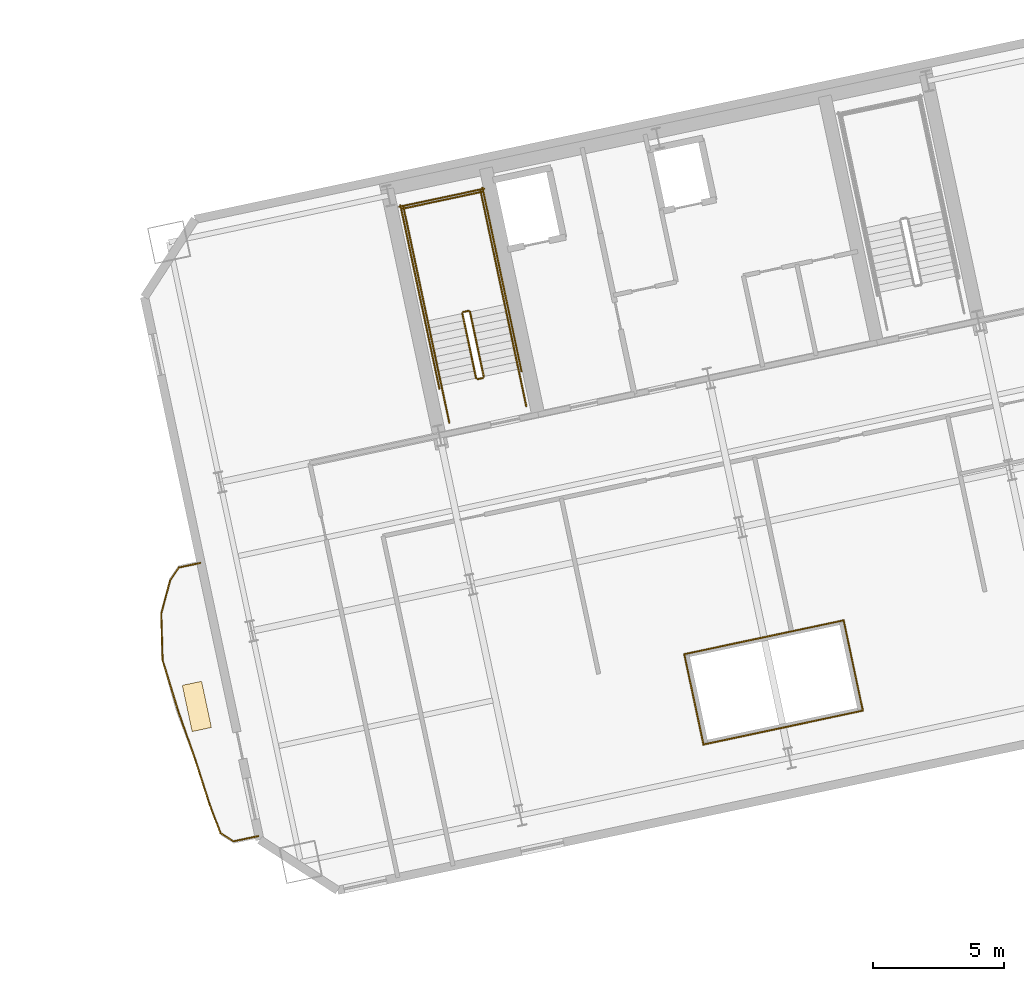
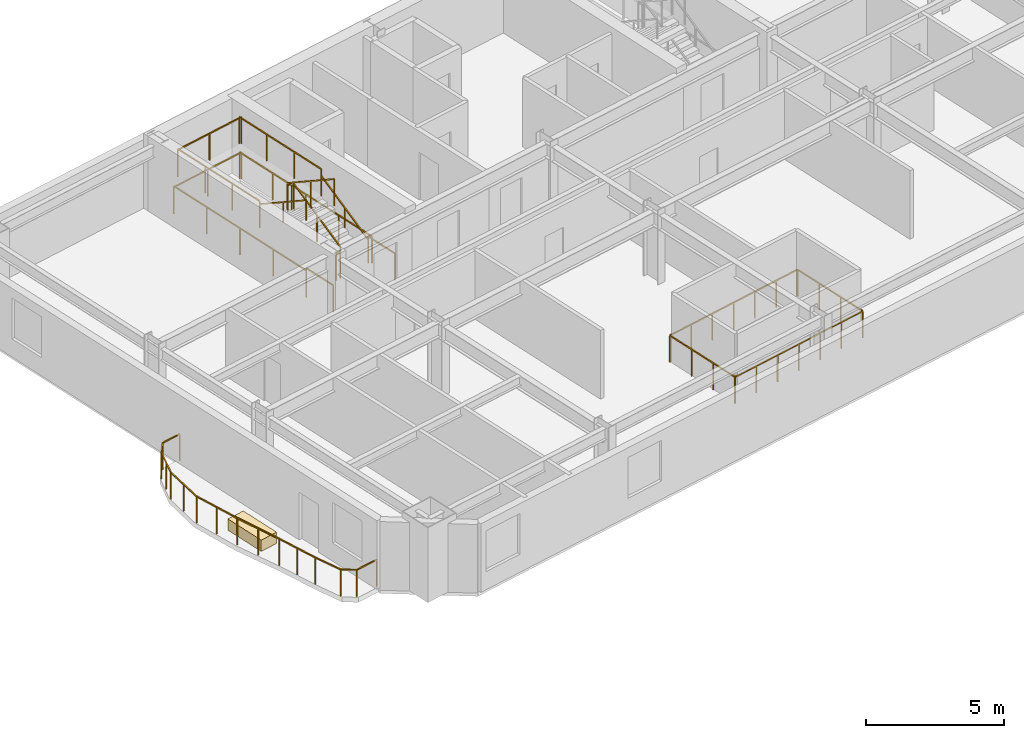
# One storey, part 12 of 13: 28 railings, 1 covering.
"""IFC4 building model written with IfcOpenShell, lengths in metres."""

import ifcopenshell
import ifcopenshell.guid

model = None  # the IFC model being written
_history = None  # IfcOwnerHistory: only IFC2X3 demands one
_inside = {}  # id of a spatial element -> (the spatial element, [elements in it])
_under = {}  # id of a project, library or spatial element -> (it, [spatial elements below it])
_declared = {}  # id of a project -> (the project, [libraries it declares])
_typed = {}  # id of a type object -> (the type object, [elements of that type])
_made_of = {}  # id of a material, layer set ... -> (it, [elements and type objects made of it])


def new_model(schema):
    """Start an empty IFC model of exactly this schema.

    Asked for "IFC4X3", IfcOpenShell would pick the latest addendum, in which some entities
    have other attributes; the version numbers below select the first issue.
    IFC2X3 requires an IfcOwnerHistory on every rooted entity: one is made here for all.
    """
    global model, _history
    if schema == "IFC4X3":
        model = ifcopenshell.file(schema_version=(4, 3, 0, 0))
    else:
        model = ifcopenshell.file(schema=schema)
    _inside.clear()
    _under.clear()
    _declared.clear()
    _typed.clear()
    _made_of.clear()
    _history = None
    if model.schema == "IFC2X3":
        org = make("IfcOrganization", Name="unknown")
        user = make(
            "IfcPersonAndOrganization",
            ThePerson=make("IfcPerson", FamilyName="unknown"),
            TheOrganization=org,
        )
        app = make(
            "IfcApplication",
            ApplicationDeveloper=org,
            Version="unknown",
            ApplicationFullName="unknown",
            ApplicationIdentifier="unknown",
        )
        _history = make(
            "IfcOwnerHistory",
            OwningUser=user,
            OwningApplication=app,
            ChangeAction="ADDED",
            CreationDate=0,
        )
    return model


def make(cls, **values):
    """One entity of the class cls with the attributes given. An attribute that is None is left unset."""
    return model.create_entity(
        cls, **{name: value for name, value in values.items() if value is not None}
    )


def rooted(cls, **values):
    """An entity with a GlobalId (a new one), such as an element, a storey or a relation."""
    return make(cls, GlobalId=ifcopenshell.guid.new(), OwnerHistory=_history, **values)


def si_unit(unit_type, name, prefix=None):
    """IfcSIUnit, for example si_unit("LENGTHUNIT", "METRE", prefix="MILLI")."""
    return make("IfcSIUnit", UnitType=unit_type, Prefix=prefix, Name=name)


def assignment(units):
    """IfcUnitAssignment: the units of a project."""
    return None if units is None else make("IfcUnitAssignment", Units=units)


def point(xyz):
    """IfcCartesianPoint."""
    return None if xyz is None else make("IfcCartesianPoint", Coordinates=xyz)


def direction(xyz):
    """IfcDirection."""
    return None if xyz is None else make("IfcDirection", DirectionRatios=xyz)


def frame(location, z_axis=None, x_axis=None):
    """IfcAxis2Placement3D, a coordinate frame: its origin and axes. An axis left out is left unset."""
    return make(
        "IfcAxis2Placement3D",
        Location=point(location),
        Axis=direction(z_axis),
        RefDirection=direction(x_axis),
    )


def frame_2d(location, x_axis=None):
    """IfcAxis2Placement2D, a coordinate frame in the plane: its origin and x axis."""
    return make(
        "IfcAxis2Placement2D", Location=point(location), RefDirection=direction(x_axis)
    )


def origin():
    """The frame at (0, 0, 0) with its axes left unset."""
    return frame((0.0, 0.0, 0.0))


def origin_2d():
    """The frame at (0, 0) in the plane with its x axis left unset."""
    return frame_2d((0.0, 0.0))


def place(relative_to, where):
    """IfcLocalPlacement: puts the frame where relative to a parent placement (None: the world)."""
    return make(
        "IfcLocalPlacement", PlacementRelTo=relative_to, RelativePlacement=where
    )


def context(
    kind, dimensions, precision=None, world=None, true_north=None, identifier=None
):
    """IfcGeometricRepresentationContext, for example the 3D "Model" context."""
    return make(
        "IfcGeometricRepresentationContext",
        ContextIdentifier=identifier,
        ContextType=kind,
        CoordinateSpaceDimension=dimensions,
        Precision=precision,
        WorldCoordinateSystem=world,
        TrueNorth=true_north,
    )


def subcontext(parent, identifier, kind, view, scale=None):
    """IfcGeometricRepresentationSubContext, for example "Body" below "Model"."""
    return make(
        "IfcGeometricRepresentationSubContext",
        ContextIdentifier=identifier,
        ContextType=kind,
        ParentContext=parent,
        TargetScale=scale,
        TargetView=view,
    )


def project(units=None, contexts=None):
    """IfcProject with its units and contexts."""
    return rooted(
        "IfcProject",
        Name="project",
        RepresentationContexts=contexts,
        UnitsInContext=assignment(units),
    )


def spatial(cls, under=None, at=None, **own):
    """A site, building, storey or space (cls), placed at a placement, below another one or the project."""
    s = rooted(cls, ObjectPlacement=at, **own)
    if under is not None:
        _under.setdefault(under.id(), (under, []))[1].append(s)
    return s


def profile(cls, at=None, kind="AREA", **sizes):
    """A parametric profile (cls). Its sizes go by their IFC names, for example OverallWidth=200.0."""
    return make(cls, ProfileType=kind, Position=at, **sizes)


def rectangle(**sizes):
    """IfcRectangleProfileDef."""
    return profile("IfcRectangleProfileDef", **sizes)


def extrude(swept, where, along, depth):
    """IfcExtrudedAreaSolid: the profile swept, set in the frame where, extruded along a direction by depth."""
    return make(
        "IfcExtrudedAreaSolid",
        SweptArea=swept,
        Position=where,
        ExtrudedDirection=direction(along),
        Depth=depth,
    )


def shape(context_of_items, identifier, shape_type, items):
    """IfcShapeRepresentation: the items that make up one representation, for example the "Body"."""
    return make(
        "IfcShapeRepresentation",
        ContextOfItems=context_of_items,
        RepresentationIdentifier=identifier,
        RepresentationType=shape_type,
        Items=items,
    )


def material(Name=None, Category=None):
    """IfcMaterial."""
    return make("IfcMaterial", Name=Name, Category=Category)


def layer(
    of_material, thickness, ventilated=None, Name=None, Category=None, Priority=None
):
    """IfcMaterialLayer: one layer of a wall or slab, of a material (None: an air gap)."""
    return make(
        "IfcMaterialLayer",
        Material=of_material,
        LayerThickness=thickness,
        IsVentilated=ventilated,
        Name=Name,
        Category=Category,
        Priority=Priority,
    )


def layer_set(layers, Name=None):
    """IfcMaterialLayerSet."""
    return make("IfcMaterialLayerSet", MaterialLayers=layers, LayerSetName=Name)


def made_of(thing, what):
    """Note that an element or type object is made of a material, layer set ...; save() writes the relation."""
    if what is not None:
        _made_of.setdefault(what.id(), (what, []))[1].append(thing)
    return thing


def type_object(cls, material=None, **own):
    """A type object (cls), such as IfcWallType, which elements share."""
    return made_of(rooted(cls, **own), material)


def element(
    cls,
    number,
    at=None,
    inside=None,
    cuts=None,
    type_object=None,
    material=None,
    context=None,
    identifier="Body",
    shape_type=None,
    held_by="IfcProductDefinitionShape",
    body=None,
    shapes=None,
    **own,
):
    """One element of the class cls, such as IfcWall. Its Tag is "e" and its number.

    at: its placement. inside: the storey or other place that contains it. cuts: it is an
    opening in that element (IfcRelVoidsElement). A single representation is given by context,
    identifier, shape_type and body (its items); several are given by shapes. held_by: the class
    of the entity that holds the representations. save() writes the other relations.
    """
    e = rooted(cls, Tag="e%d" % number, ObjectPlacement=at, **own)
    if body is not None:
        shapes = [shape(context, identifier, shape_type, body)]
    if shapes is not None:
        e.Representation = make(held_by, Representations=shapes)
    if inside is not None:
        _inside.setdefault(inside.id(), (inside, []))[1].append(e)
    if cuts is not None:
        rooted(
            "IfcRelVoidsElement", RelatingBuildingElement=cuts, RelatedOpeningElement=e
        )
    if type_object is not None:
        _typed.setdefault(type_object.id(), (type_object, []))[1].append(e)
    return made_of(e, material)


def aggregate(whole, parts):
    """IfcRelAggregates: a whole, such as a stair, and the parts it consists of."""
    return rooted("IfcRelAggregates", RelatingObject=whole, RelatedObjects=parts)


def save(model, path):
    """Write the relations noted so far, then the file.

    IfcRelAggregates (storeys below a building ...), IfcRelContainedInSpatialStructure (elements
    in a storey), IfcRelDefinesByType, IfcRelAssociatesMaterial and IfcRelDeclares: one each for
    every whole, place, type object, material and project.
    """
    for whole, parts in _under.values():
        aggregate(whole, parts)
    for where, things in _inside.values():
        rooted(
            "IfcRelContainedInSpatialStructure",
            RelatedElements=things,
            RelatingStructure=where,
        )
    for kind, things in _typed.values():
        rooted("IfcRelDefinesByType", RelatedObjects=things, RelatingType=kind)
    for what, things in _made_of.values():
        rooted("IfcRelAssociatesMaterial", RelatedObjects=things, RelatingMaterial=what)
    for by, libraries in _declared.values():
        rooted("IfcRelDeclares", RelatingContext=by, RelatedDefinitions=libraries)
    model.write(path)


model = new_model("IFC4")

# Units and contexts
model_context = context("Model", 3, precision=1e-05, world=origin(), true_north=direction((0.0, 1.0)))
body_context = subcontext(model_context, "Body", "Model", "MODEL_VIEW")
ifc_project = project(units=[si_unit("LENGTHUNIT", "METRE"), si_unit("AREAUNIT", "SQUARE_METRE"), si_unit("VOLUMEUNIT", "CUBIC_METRE"), si_unit("PLANEANGLEUNIT", "RADIAN"), si_unit("MASSUNIT", "GRAM", prefix="KILO")], contexts=[model_context])

# Site, building, storey
site_placement = place(None, origin())
site = spatial("IfcSite", under=ifc_project, at=site_placement, CompositionType="ELEMENT")
building_placement = place(site_placement, origin())
building = spatial("IfcBuilding", under=site, at=building_placement, Name="Haevon Station Towers", CompositionType="ELEMENT")
storey_placement = place(building_placement, frame((0.0, 0.0, 99.89990234375)))
storey = spatial("IfcBuildingStorey", under=building, at=storey_placement, Name="L26", CompositionType="ELEMENT", Elevation=99.89990234375)

# Railings
ifc_material_1 = material(Name="Steel S355", Category="steel")
railing_type_1 = type_object("IfcRailingType", Name="BAL-ATR1200", PredefinedType="BALUSTRADE", material=ifc_material_1)
railing_1_placement = place(storey_placement, frame((108.81591796875, 25.668212890625, 0.0)))
element("IfcRailing", 1, at=railing_1_placement, inside=storey, type_object=railing_type_1, Name="L26 Atrium Void Balustrade 1", PredefinedType="BALUSTRADE", context=body_context, shape_type="SweptSolid", body=[
    extrude(rectangle(XDim=0.048095703125, YDim=0.048095703125, at=origin_2d()), frame((0.0, 0.0, 1.17578125), z_axis=(0.97814235822, 0.207936353378, 0.0), x_axis=(-0.207936353378, 0.97814235822, 0.0)), (0.0, 0.0, 1.0), 6.208740234375),
    extrude(rectangle(XDim=0.0419921875, YDim=0.0419921875, at=origin_2d()), origin(), (0.0, 0.0, 1.0), 1.15185546875),
    extrude(rectangle(XDim=0.0419921875, YDim=0.0419921875, at=origin_2d()), frame((1.01220703125, 0.215087890625, 0.0)), (0.0, 0.0, 1.0), 1.15185546875),
    extrude(rectangle(XDim=0.0419921875, YDim=0.0419921875, at=origin_2d()), frame((2.0244140625, 0.430419921875, 0.0)), (0.0, 0.0, 1.0), 1.15185546875),
    extrude(rectangle(XDim=0.0419921875, YDim=0.0419921875, at=origin_2d()), frame((3.03662109375, 0.6455078125, 0.0)), (0.0, 0.0, 1.0), 1.15185546875),
    extrude(rectangle(XDim=0.0419921875, YDim=0.0419921875, at=origin_2d()), frame((4.048583984375, 0.860595703125, 0.0)), (0.0, 0.0, 1.0), 1.15185546875),
    extrude(rectangle(XDim=0.0419921875, YDim=0.0419921875, at=origin_2d()), frame((5.060791015625, 1.075927734375, 0.0)), (0.0, 0.0, 1.0), 1.15185546875),
    extrude(rectangle(XDim=0.0419921875, YDim=0.0419921875, at=origin_2d()), frame((6.072998046875, 1.291015625, 0.0)), (0.0, 0.0, 1.0), 1.15185546875),
])
railing_2_placement = place(storey_placement, frame((114.888916015625, 26.959228515625, 0.0)))
element("IfcRailing", 2, at=railing_2_placement, inside=storey, type_object=railing_type_1, Name="L26 Atrium Void Balustrade 2", PredefinedType="BALUSTRADE", context=body_context, shape_type="SweptSolid", body=[
    extrude(rectangle(XDim=0.048095703125, YDim=0.048095703125, at=origin_2d()), frame((0.0, 0.0, 1.17578125), z_axis=(-0.207898592019, 0.978150384878, 0.0), x_axis=(-0.978150384878, -0.207898592019, 0.0)), (0.0, 0.0, 1.0), 3.518310546875),
    extrude(rectangle(XDim=0.0419921875, YDim=0.0419921875, at=origin_2d()), origin(), (0.0, 0.0, 1.0), 1.15185546875),
    extrude(rectangle(XDim=0.0419921875, YDim=0.0419921875, at=origin_2d()), frame((-0.243896484375, 1.147216796875, 0.0)), (0.0, 0.0, 1.0), 1.15185546875),
    extrude(rectangle(XDim=0.0419921875, YDim=0.0419921875, at=origin_2d()), frame((-0.487548828125, 2.294189453125, 0.0)), (0.0, 0.0, 1.0), 1.15185546875),
    extrude(rectangle(XDim=0.0419921875, YDim=0.0419921875, at=origin_2d()), frame((-0.7314453125, 3.44140625, 0.0)), (0.0, 0.0, 1.0), 1.15185546875),
])
railing_3_placement = place(storey_placement, frame((114.157470703125, 30.400634765625, 0.0)))
element("IfcRailing", 3, at=railing_3_placement, inside=storey, type_object=railing_type_1, Name="L26 Atrium Void Balustrade 3", PredefinedType="BALUSTRADE", context=body_context, shape_type="SweptSolid", body=[
    extrude(rectangle(XDim=0.048095703125, YDim=0.048095703125, at=origin_2d()), frame((0.0, 0.0, 1.17578125), z_axis=(-0.978144058321, -0.207928355861, 0.0), x_axis=(0.207928355861, -0.978144058321, 0.0)), (0.0, 0.0, 1.0), 6.208984375),
    extrude(rectangle(XDim=0.0419921875, YDim=0.0419921875, at=origin_2d()), origin(), (0.0, 0.0, 1.0), 1.15185546875),
    extrude(rectangle(XDim=0.0419921875, YDim=0.0419921875, at=origin_2d()), frame((-1.01220703125, -0.215087890625, 0.0)), (0.0, 0.0, 1.0), 1.15185546875),
    extrude(rectangle(XDim=0.0419921875, YDim=0.0419921875, at=origin_2d()), frame((-2.0244140625, -0.430419921875, 0.0)), (0.0, 0.0, 1.0), 1.15185546875),
    extrude(rectangle(XDim=0.0419921875, YDim=0.0419921875, at=origin_2d()), frame((-3.03662109375, -0.6455078125, 0.0)), (0.0, 0.0, 1.0), 1.15185546875),
    extrude(rectangle(XDim=0.0419921875, YDim=0.0419921875, at=origin_2d()), frame((-4.048828125, -0.860595703125, 0.0)), (0.0, 0.0, 1.0), 1.15185546875),
    extrude(rectangle(XDim=0.0419921875, YDim=0.0419921875, at=origin_2d()), frame((-5.06103515625, -1.075927734375, 0.0)), (0.0, 0.0, 1.0), 1.15185546875),
    extrude(rectangle(XDim=0.0419921875, YDim=0.0419921875, at=origin_2d()), frame((-6.0732421875, -1.291015625, 0.0)), (0.0, 0.0, 1.0), 1.15185546875),
])
railing_4_placement = place(storey_placement, frame((108.084228515625, 29.109619140625, 0.0)))
element("IfcRailing", 4, at=railing_4_placement, inside=storey, type_object=railing_type_1, Name="L26 Atrium Void Balustrade 4", PredefinedType="BALUSTRADE", context=body_context, shape_type="SweptSolid", body=[
    extrude(rectangle(XDim=0.048095703125, YDim=0.048095703125, at=origin_2d()), frame((0.0, 0.0, 1.17578125), z_axis=(0.207964983384, -0.978136271532, 0.0), x_axis=(0.978136271532, 0.207964983384, 0.0)), (0.0, 0.0, 1.0), 3.518310546875),
    extrude(rectangle(XDim=0.0419921875, YDim=0.0419921875, at=origin_2d()), origin(), (0.0, 0.0, 1.0), 1.15185546875),
    extrude(rectangle(XDim=0.0419921875, YDim=0.0419921875, at=origin_2d()), frame((0.243896484375, -1.147216796875, 0.0)), (0.0, 0.0, 1.0), 1.15185546875),
    extrude(rectangle(XDim=0.0419921875, YDim=0.0419921875, at=origin_2d()), frame((0.48779296875, -2.294189453125, 0.0)), (0.0, 0.0, 1.0), 1.15185546875),
    extrude(rectangle(XDim=0.0419921875, YDim=0.0419921875, at=origin_2d()), frame((0.731689453125, -3.44140625, 0.0)), (0.0, 0.0, 1.0), 1.15185546875),
])
railing_type_2 = type_object("IfcRailingType", Name="GRD-EXT1200", PredefinedType="GUARDRAIL", material=ifc_material_1)
railing_5_placement = place(storey_placement, frame((89.638916015625, 32.588623046875, 0.0)))
element("IfcRailing", 5, at=railing_5_placement, inside=storey, type_object=railing_type_2, Name="L26 Perimeter Guardrail 1", PredefinedType="GUARDRAIL", context=body_context, shape_type="SweptSolid", body=[
    extrude(rectangle(XDim=0.048095703125, YDim=0.048095703125, at=origin_2d()), frame((0.0, 0.0, 1.17578125), z_axis=(-0.977691431104, -0.210046341426, 0.0), x_axis=(0.210046341426, -0.977691431104, 0.0)), (0.0, 0.0, 1.0), 0.838134765625),
    extrude(rectangle(XDim=0.0419921875, YDim=0.0419921875, at=origin_2d()), origin(), (0.0, 0.0, 1.0), 1.15185546875),
    extrude(rectangle(XDim=0.0419921875, YDim=0.0419921875, at=origin_2d()), frame((-0.8193359375, -0.176025390625, 0.0)), (0.0, 0.0, 1.0), 1.15185546875),
])
railing_6_placement = place(storey_placement, frame((88.819580078125, 32.41259765625, 0.0)))
element("IfcRailing", 6, at=railing_6_placement, inside=storey, type_object=railing_type_2, Name="L26 Perimeter Guardrail 2", PredefinedType="GUARDRAIL", context=body_context, shape_type="SweptSolid", body=[
    extrude(rectangle(XDim=0.048095703125, YDim=0.048095703125, at=origin_2d()), frame((0.0, 0.0, 1.17578125), z_axis=(-0.562635738377, -0.826704920695, 0.0), x_axis=(0.826704920695, -0.562635738377, 0.0)), (0.0, 0.0, 1.0), 0.594482421875),
    extrude(rectangle(XDim=0.0419921875, YDim=0.0419921875, at=origin_2d()), origin(), (0.0, 0.0, 1.0), 1.15185546875),
    extrude(rectangle(XDim=0.0419921875, YDim=0.0419921875, at=origin_2d()), frame((-0.33447265625, -0.491455078125, 0.0)), (0.0, 0.0, 1.0), 1.15185546875),
])
railing_7_placement = place(storey_placement, frame((88.485107421875, 31.921142578125, 0.0)))
element("IfcRailing", 7, at=railing_7_placement, inside=storey, type_object=railing_type_2, Name="L26 Perimeter Guardrail 3", PredefinedType="GUARDRAIL", context=body_context, shape_type="SweptSolid", body=[
    extrude(rectangle(XDim=0.048095703125, YDim=0.048095703125, at=origin_2d()), frame((0.0, 0.0, 1.17578125), z_axis=(-0.257396211441, -0.966305950688, 0.0), x_axis=(0.966305950688, -0.257396211441, 0.0)), (0.0, 0.0, 1.0), 1.311767578125),
    extrude(rectangle(XDim=0.0419921875, YDim=0.0419921875, at=origin_2d()), origin(), (0.0, 0.0, 1.0), 1.15185546875),
    extrude(rectangle(XDim=0.0419921875, YDim=0.0419921875, at=origin_2d()), frame((-0.1689453125, -0.6337890625, 0.0)), (0.0, 0.0, 1.0), 1.15185546875),
    extrude(rectangle(XDim=0.0419921875, YDim=0.0419921875, at=origin_2d()), frame((-0.337646484375, -1.267578125, 0.0)), (0.0, 0.0, 1.0), 1.15185546875),
])
railing_8_placement = place(storey_placement, frame((88.1474609375, 30.653564453125, 0.0)))
element("IfcRailing", 8, at=railing_8_placement, inside=storey, type_object=railing_type_2, Name="L26 Perimeter Guardrail 4", PredefinedType="GUARDRAIL", context=body_context, shape_type="SweptSolid", body=[
    extrude(rectangle(XDim=0.048095703125, YDim=0.048095703125, at=origin_2d()), frame((0.0, 0.0, 1.17578125), z_axis=(0.029031117034, -0.999578508294, 0.0), x_axis=(0.999578508294, 0.029031117034, 0.0)), (0.0, 0.0, 1.0), 1.7744140625),
    extrude(rectangle(XDim=0.0419921875, YDim=0.0419921875, at=origin_2d()), origin(), (0.0, 0.0, 1.0), 1.15185546875),
    extrude(rectangle(XDim=0.0419921875, YDim=0.0419921875, at=origin_2d()), frame((0.02587890625, -0.88671875, 0.0)), (0.0, 0.0, 1.0), 1.15185546875),
    extrude(rectangle(XDim=0.0419921875, YDim=0.0419921875, at=origin_2d()), frame((0.051513671875, -1.773681640625, 0.0)), (0.0, 0.0, 1.0), 1.15185546875),
])
railing_9_placement = place(storey_placement, frame((88.198974609375, 28.8798828125, 0.0)))
element("IfcRailing", 9, at=railing_9_placement, inside=storey, type_object=railing_type_2, Name="L26 Perimeter Guardrail 5", PredefinedType="GUARDRAIL", context=body_context, shape_type="SweptSolid", body=[
    extrude(rectangle(XDim=0.048095703125, YDim=0.048095703125, at=origin_2d()), frame((0.0, 0.0, 1.17578125), z_axis=(0.294077277739, -0.955781645941, 0.0), x_axis=(0.955781645941, 0.294077277739, 0.0)), (0.0, 0.0, 1.0), 2.001708984375),
    extrude(rectangle(XDim=0.0419921875, YDim=0.0419921875, at=origin_2d()), origin(), (0.0, 0.0, 1.0), 1.15185546875),
    extrude(rectangle(XDim=0.0419921875, YDim=0.0419921875, at=origin_2d()), frame((0.29443359375, -0.95654296875, 0.0)), (0.0, 0.0, 1.0), 1.15185546875),
    extrude(rectangle(XDim=0.0419921875, YDim=0.0419921875, at=origin_2d()), frame((0.588623046875, -1.9130859375, 0.0)), (0.0, 0.0, 1.0), 1.15185546875),
])
railing_10_placement = place(storey_placement, frame((88.78759765625, 26.966796875, 0.0)))
element("IfcRailing", 10, at=railing_10_placement, inside=storey, type_object=railing_type_2, Name="L26 Perimeter Guardrail 6", PredefinedType="GUARDRAIL", context=body_context, shape_type="SweptSolid", body=[
    extrude(rectangle(XDim=0.048095703125, YDim=0.048095703125, at=origin_2d()), frame((0.0, 0.0, 1.17578125), z_axis=(0.330908939864, -0.94366269054, 0.0), x_axis=(0.94366269054, 0.330908939864, 0.0)), (0.0, 0.0, 1.0), 2.00537109375),
    extrude(rectangle(XDim=0.0419921875, YDim=0.0419921875, at=origin_2d()), origin(), (0.0, 0.0, 1.0), 1.15185546875),
    extrude(rectangle(XDim=0.0419921875, YDim=0.0419921875, at=origin_2d()), frame((0.331787109375, -0.9462890625, 0.0)), (0.0, 0.0, 1.0), 1.15185546875),
    extrude(rectangle(XDim=0.0419921875, YDim=0.0419921875, at=origin_2d()), frame((0.66357421875, -1.892333984375, 0.0)), (0.0, 0.0, 1.0), 1.15185546875),
])
railing_11_placement = place(storey_placement, frame((89.451171875, 25.074462890625, 0.0)))
element("IfcRailing", 11, at=railing_11_placement, inside=storey, type_object=railing_type_2, Name="L26 Perimeter Guardrail 7", PredefinedType="GUARDRAIL", context=body_context, shape_type="SweptSolid", body=[
    extrude(rectangle(XDim=0.048095703125, YDim=0.048095703125, at=origin_2d()), frame((0.0, 0.0, 1.17578125), z_axis=(0.305002394969, -0.952351583746, 0.0), x_axis=(0.952351583746, 0.305002394969, 0.0)), (0.0, 0.0, 1.0), 1.758544921875),
    extrude(rectangle(XDim=0.0419921875, YDim=0.0419921875, at=origin_2d()), origin(), (0.0, 0.0, 1.0), 1.15185546875),
    extrude(rectangle(XDim=0.0419921875, YDim=0.0419921875, at=origin_2d()), frame((0.26806640625, -0.83740234375, 0.0)), (0.0, 0.0, 1.0), 1.15185546875),
    extrude(rectangle(XDim=0.0419921875, YDim=0.0419921875, at=origin_2d()), frame((0.536376953125, -1.6748046875, 0.0)), (0.0, 0.0, 1.0), 1.15185546875),
])
railing_12_placement = place(storey_placement, frame((89.987548828125, 23.399658203125, 0.0)))
element("IfcRailing", 12, at=railing_12_placement, inside=storey, type_object=railing_type_2, Name="L26 Perimeter Guardrail 8", PredefinedType="GUARDRAIL", context=body_context, shape_type="SweptSolid", body=[
    extrude(rectangle(XDim=0.048095703125, YDim=0.048095703125, at=origin_2d()), frame((0.0, 0.0, 1.17578125), z_axis=(0.353833597458, -0.935308390484, 0.0), x_axis=(0.935308390484, 0.353833597458, 0.0)), (0.0, 0.0, 1.0), 1.18408203125),
    extrude(rectangle(XDim=0.0419921875, YDim=0.0419921875, at=origin_2d()), origin(), (0.0, 0.0, 1.0), 1.15185546875),
    extrude(rectangle(XDim=0.0419921875, YDim=0.0419921875, at=origin_2d()), frame((0.4189453125, -1.107421875, 0.0)), (0.0, 0.0, 1.0), 1.15185546875),
])
railing_13_placement = place(storey_placement, frame((90.406494140625, 22.292236328125, 0.0)))
element("IfcRailing", 13, at=railing_13_placement, inside=storey, type_object=railing_type_2, Name="L26 Perimeter Guardrail 9", PredefinedType="GUARDRAIL", context=body_context, shape_type="SweptSolid", body=[
    extrude(rectangle(XDim=0.048095703125, YDim=0.048095703125, at=origin_2d()), frame((0.0, 0.0, 1.17578125), z_axis=(0.841436167657, -0.540356526525, 0.0), x_axis=(0.540356526525, 0.841436167657, 0.0)), (0.0, 0.0, 1.0), 0.584716796875),
    extrude(rectangle(XDim=0.0419921875, YDim=0.0419921875, at=origin_2d()), origin(), (0.0, 0.0, 1.0), 1.15185546875),
    extrude(rectangle(XDim=0.0419921875, YDim=0.0419921875, at=origin_2d()), frame((0.491943359375, -0.31591796875, 0.0)), (0.0, 0.0, 1.0), 1.15185546875),
])
railing_14_placement = place(storey_placement, frame((90.8984375, 21.976318359375, 0.0)))
element("IfcRailing", 14, at=railing_14_placement, inside=storey, type_object=railing_type_2, Name="L26 Perimeter Guardrail 10", PredefinedType="GUARDRAIL", context=body_context, shape_type="SweptSolid", body=[
    extrude(rectangle(XDim=0.048095703125, YDim=0.048095703125, at=origin_2d()), frame((0.0, 0.0, 1.17578125), z_axis=(0.978555102227, 0.205985222543, 0.0), x_axis=(-0.205985222543, 0.978555102227, 0.0)), (0.0, 0.0, 1.0), 0.974365234375),
    extrude(rectangle(XDim=0.0419921875, YDim=0.0419921875, at=origin_2d()), origin(), (0.0, 0.0, 1.0), 1.15185546875),
    extrude(rectangle(XDim=0.0419921875, YDim=0.0419921875, at=origin_2d()), frame((0.953369140625, 0.20068359375, 0.0)), (0.0, 0.0, 1.0), 1.15185546875),
])
railing_type_3 = type_object("IfcRailingType", Name="GRD-STR1200", PredefinedType="GUARDRAIL", material=ifc_material_1)
railing_15_placement = place(storey_placement, frame((100.44140625, 39.69287109375, 0.1650390625)))
element("IfcRailing", 15, at=railing_15_placement, inside=storey, type_object=railing_type_3, Name="L26 ST3 Stair Guard 1", PredefinedType="GUARDRAIL", context=body_context, shape_type="SweptSolid", body=[
    extrude(rectangle(XDim=0.048095703125, YDim=0.048095703125, at=origin_2d()), frame((0.0, 0.0, 1.17578125), z_axis=(-0.179121265225, 0.842687928106, 0.507732831485), x_axis=(-0.978147030254, -0.207914374695, 0.0)), (0.0, 0.0, 1.0), 2.925048828125),
    extrude(rectangle(XDim=0.0419921875, YDim=0.0419921875, at=origin_2d()), origin(), (0.0, 0.0, 1.0), 1.15185546875),
    extrude(rectangle(XDim=0.0419921875, YDim=0.0419921875, at=origin_2d()), frame((-0.261962890625, 1.232421875, 0.74267578125)), (0.0, 0.0, 1.0), 1.15185546875),
    extrude(rectangle(XDim=0.0419921875, YDim=0.0419921875, at=origin_2d()), frame((-0.52392578125, 2.46484375, 1.485107421875)), (0.0, 0.0, 1.0), 1.15185546875),
])
railing_16_placement = place(storey_placement, frame((99.858154296875, 42.1962890625, 1.650146484375)))
element("IfcRailing", 16, at=railing_16_placement, inside=storey, type_object=railing_type_3, Name="L26 ST3 Stair Guard 2", PredefinedType="GUARDRAIL", context=body_context, shape_type="SweptSolid", body=[
    extrude(rectangle(XDim=0.048095703125, YDim=0.048095703125, at=origin_2d()), frame((0.0, 0.0, 1.17578125), z_axis=(-0.977962931203, -0.208778603291, 0.0), x_axis=(0.208778603291, -0.977962931203, 0.0)), (0.0, 0.0, 1.0), 0.199951171875),
    extrude(rectangle(XDim=0.0419921875, YDim=0.0419921875, at=origin_2d()), origin(), (0.0, 0.0, 1.0), 1.15185546875),
    extrude(rectangle(XDim=0.0419921875, YDim=0.0419921875, at=origin_2d()), frame((-0.195556640625, -0.041748046875, 0.0)), (0.0, 0.0, 1.0), 1.15185546875),
])
railing_17_placement = place(storey_placement, frame((101.238037109375, 42.4384765625, 1.650146484375)))
element("IfcRailing", 17, at=railing_17_placement, inside=storey, type_object=railing_type_3, Name="L26 ST3 Stair Guard 3", PredefinedType="GUARDRAIL", context=body_context, shape_type="SweptSolid", body=[
    extrude(rectangle(XDim=0.048095703125, YDim=0.048095703125, at=origin_2d()), frame((0.0, 0.0, 1.17578125), z_axis=(-0.20794048909, 0.978141479029, 0.0), x_axis=(-0.978141479029, -0.20794048909, 0.0)), (0.0, 0.0, 1.0), 4.429931640625),
    extrude(rectangle(XDim=0.0419921875, YDim=0.0419921875, at=origin_2d()), origin(), (0.0, 0.0, 1.0), 1.15185546875),
    extrude(rectangle(XDim=0.0419921875, YDim=0.0419921875, at=origin_2d()), frame((-0.30712890625, 1.4443359375, 0.0)), (0.0, 0.0, 1.0), 1.15185546875),
    extrude(rectangle(XDim=0.0419921875, YDim=0.0419921875, at=origin_2d()), frame((-0.614013671875, 2.888671875, 0.0)), (0.0, 0.0, 1.0), 1.15185546875),
    extrude(rectangle(XDim=0.0419921875, YDim=0.0419921875, at=origin_2d()), frame((-0.921142578125, 4.3330078125, 0.0)), (0.0, 0.0, 1.0), 1.15185546875),
])
railing_18_placement = place(storey_placement, frame((98.303466796875, 41.814697265625, 1.650146484375)))
element("IfcRailing", 18, at=railing_18_placement, inside=storey, type_object=railing_type_3, Name="L26 ST3 Stair Guard 4", PredefinedType="GUARDRAIL", context=body_context, shape_type="SweptSolid", body=[
    extrude(rectangle(XDim=0.048095703125, YDim=0.048095703125, at=origin_2d()), frame((0.0, 0.0, 1.17578125), z_axis=(-0.207876551949, 0.978155069071, 0.0), x_axis=(-0.978155069071, -0.207876551949, 0.0)), (0.0, 0.0, 1.0), 4.429931640625),
    extrude(rectangle(XDim=0.0419921875, YDim=0.0419921875, at=origin_2d()), origin(), (0.0, 0.0, 1.0), 1.15185546875),
    extrude(rectangle(XDim=0.0419921875, YDim=0.0419921875, at=origin_2d()), frame((-0.306884765625, 1.4443359375, 0.0)), (0.0, 0.0, 1.0), 1.15185546875),
    extrude(rectangle(XDim=0.0419921875, YDim=0.0419921875, at=origin_2d()), frame((-0.614013671875, 2.888916015625, 0.0)), (0.0, 0.0, 1.0), 1.15185546875),
    extrude(rectangle(XDim=0.0419921875, YDim=0.0419921875, at=origin_2d()), frame((-0.9208984375, 4.333251953125, 0.0)), (0.0, 0.0, 1.0), 1.15185546875),
])
railing_19_placement = place(storey_placement, frame((100.376220703125, 46.733154296875, 1.650146484375)))
element("IfcRailing", 19, at=railing_19_placement, inside=storey, type_object=railing_type_3, Name="L26 ST3 Stair Guard 5", PredefinedType="GUARDRAIL", context=body_context, shape_type="SweptSolid", body=[
    extrude(rectangle(XDim=0.048095703125, YDim=0.048095703125, at=origin_2d()), frame((0.0, 0.0, 1.17578125), z_axis=(-0.978146839882, -0.207915270313, 0.0), x_axis=(0.207915270313, -0.978146839882, 0.0)), (0.0, 0.0, 1.0), 3.099853515625),
    extrude(rectangle(XDim=0.0419921875, YDim=0.0419921875, at=origin_2d()), origin(), (0.0, 0.0, 1.0), 1.15185546875),
    extrude(rectangle(XDim=0.0419921875, YDim=0.0419921875, at=origin_2d()), frame((-1.51611328125, -0.322265625, 0.0)), (0.0, 0.0, 1.0), 1.15185546875),
    extrude(rectangle(XDim=0.0419921875, YDim=0.0419921875, at=origin_2d()), frame((-3.0322265625, -0.64453125, 0.0)), (0.0, 0.0, 1.0), 1.15185546875),
])
railing_20_placement = place(storey_placement, frame((99.6240234375, 42.09521484375, 1.815185546875)))
element("IfcRailing", 20, at=railing_20_placement, inside=storey, type_object=railing_type_3, Name="L26 ST3 Stair Guard 6", PredefinedType="GUARDRAIL", context=body_context, shape_type="SweptSolid", body=[
    extrude(rectangle(XDim=0.048095703125, YDim=0.048095703125, at=origin_2d()), frame((0.0, 0.0, 1.17578125), z_axis=(0.179128856099, -0.842723639875, 0.507670877349), x_axis=(0.978147030254, 0.207914374695, 0.0)), (0.0, 0.0, 1.0), 2.9248046875),
    extrude(rectangle(XDim=0.0419921875, YDim=0.0419921875, at=origin_2d()), origin(), (0.0, 0.0, 1.0), 1.15185546875),
    extrude(rectangle(XDim=0.0419921875, YDim=0.0419921875, at=origin_2d()), frame((0.261962890625, -1.232421875, 0.742431640625)), (0.0, 0.0, 1.0), 1.15185546875),
    extrude(rectangle(XDim=0.0419921875, YDim=0.0419921875, at=origin_2d()), frame((0.52392578125, -2.46484375, 1.48486328125)), (0.0, 0.0, 1.0), 1.15185546875),
])
railing_21_placement = place(storey_placement, frame((100.40283203125, 39.633544921875, 0.0)))
element("IfcRailing", 21, at=railing_21_placement, inside=storey, type_object=railing_type_3, Name="L26 ST3 Stair Guard 7", PredefinedType="GUARDRAIL", context=body_context, shape_type="SweptSolid", body=[
    extrude(rectangle(XDim=0.048095703125, YDim=0.048095703125, at=origin_2d()), frame((0.0, 0.0, 1.17578125), z_axis=(-0.977962931203, -0.208778603291, 0.0), x_axis=(0.208778603291, -0.977962931203, 0.0)), (0.0, 0.0, 1.0), 0.199951171875),
    extrude(rectangle(XDim=0.0419921875, YDim=0.0419921875, at=origin_2d()), origin(), (0.0, 0.0, 1.0), 1.15185546875),
    extrude(rectangle(XDim=0.0419921875, YDim=0.0419921875, at=origin_2d()), frame((-0.195556640625, -0.041748046875, 0.0)), (0.0, 0.0, 1.0), 1.15185546875),
])
for number, where, name in (
    (22, (102.0634765625, 38.55517578125, 0.0), "L26 ST3 Stair Guard 8"),
    (23, (99.12890625, 37.931396484375, 0.0), "L26 ST3 Stair Guard 9"),
):
    element("IfcRailing", number, at=place(storey_placement, frame(where)), inside=storey, type_object=railing_type_3, Name=name, PredefinedType="GUARDRAIL", context=body_context, shape_type="SweptSolid", body=[
        extrude(rectangle(XDim=0.048095703125, YDim=0.048095703125, at=origin_2d()), frame((0.0, 0.0, 1.17578125), z_axis=(-0.207953405961, 0.978138732977, 0.0), x_axis=(-0.978138732977, -0.207953405961, 0.0)), (0.0, 0.0, 1.0), 1.449951171875),
        extrude(rectangle(XDim=0.0419921875, YDim=0.0419921875, at=origin_2d()), origin(), (0.0, 0.0, 1.0), 1.15185546875),
        extrude(rectangle(XDim=0.0419921875, YDim=0.0419921875, at=origin_2d()), frame((-0.301513671875, 1.418212890625, 0.0)), (0.0, 0.0, 1.0), 1.15185546875),
    ])
railing_22_placement = place(storey_placement, frame((101.88037109375, 39.896484375, 0.0)))
element("IfcRailing", 24, at=railing_22_placement, inside=storey, type_object=railing_type_3, Name="L26 ST3 Stair Guard 10", PredefinedType="GUARDRAIL", context=body_context, shape_type="SweptSolid", body=[
    extrude(rectangle(XDim=0.048095703125, YDim=0.048095703125, at=origin_2d()), frame((0.0, 0.0, 1.17578125), z_axis=(-0.207882442208, 0.978153817261, 0.0), x_axis=(-0.978153817261, -0.207882442208, 0.0)), (0.0, 0.0, 1.0), 7.14990234375),
    extrude(rectangle(XDim=0.0419921875, YDim=0.0419921875, at=origin_2d()), origin(), (0.0, 0.0, 1.0), 1.15185546875),
    extrude(rectangle(XDim=0.0419921875, YDim=0.0419921875, at=origin_2d()), frame((-0.37158203125, 1.74853515625, 0.0)), (0.0, 0.0, 1.0), 1.15185546875),
    extrude(rectangle(XDim=0.0419921875, YDim=0.0419921875, at=origin_2d()), frame((-0.7431640625, 3.496826171875, 0.0)), (0.0, 0.0, 1.0), 1.15185546875),
    extrude(rectangle(XDim=0.0419921875, YDim=0.0419921875, at=origin_2d()), frame((-1.11474609375, 5.2451171875, 0.0)), (0.0, 0.0, 1.0), 1.15185546875),
    extrude(rectangle(XDim=0.0419921875, YDim=0.0419921875, at=origin_2d()), frame((-1.486328125, 6.99365234375, 0.0)), (0.0, 0.0, 1.0), 1.15185546875),
])
railing_23_placement = place(storey_placement, frame((98.75048828125, 39.231201171875, 0.0)))
element("IfcRailing", 25, at=railing_23_placement, inside=storey, type_object=railing_type_3, Name="L26 ST3 Stair Guard 11", PredefinedType="GUARDRAIL", context=body_context, shape_type="SweptSolid", body=[
    extrude(rectangle(XDim=0.048095703125, YDim=0.048095703125, at=origin_2d()), frame((0.0, 0.0, 1.17578125), z_axis=(-0.207915112487, 0.978146873429, 0.0), x_axis=(-0.978146873429, -0.207915112487, 0.0)), (0.0, 0.0, 1.0), 7.14990234375),
    extrude(rectangle(XDim=0.0419921875, YDim=0.0419921875, at=origin_2d()), origin(), (0.0, 0.0, 1.0), 1.15185546875),
    extrude(rectangle(XDim=0.0419921875, YDim=0.0419921875, at=origin_2d()), frame((-0.37158203125, 1.74853515625, 0.0)), (0.0, 0.0, 1.0), 1.15185546875),
    extrude(rectangle(XDim=0.0419921875, YDim=0.0419921875, at=origin_2d()), frame((-0.7431640625, 3.496826171875, 0.0)), (0.0, 0.0, 1.0), 1.15185546875),
    extrude(rectangle(XDim=0.0419921875, YDim=0.0419921875, at=origin_2d()), frame((-1.114990234375, 5.2451171875, 0.0)), (0.0, 0.0, 1.0), 1.15185546875),
    extrude(rectangle(XDim=0.0419921875, YDim=0.0419921875, at=origin_2d()), frame((-1.486572265625, 6.99365234375, 0.0)), (0.0, 0.0, 1.0), 1.15185546875),
])
railing_24_placement = place(storey_placement, frame((100.453125, 46.8515625, 0.0)))
element("IfcRailing", 26, at=railing_24_placement, inside=storey, type_object=railing_type_3, Name="L26 ST3 Stair Guard 12", PredefinedType="GUARDRAIL", context=body_context, shape_type="SweptSolid", body=[
    extrude(rectangle(XDim=0.048095703125, YDim=0.048095703125, at=origin_2d()), frame((0.0, 0.0, 1.17578125), z_axis=(-0.978150764849, -0.207896804268, 0.0), x_axis=(0.207896804268, -0.978150764849, 0.0)), (0.0, 0.0, 1.0), 3.2998046875),
    extrude(rectangle(XDim=0.0419921875, YDim=0.0419921875, at=origin_2d()), origin(), (0.0, 0.0, 1.0), 1.15185546875),
    extrude(rectangle(XDim=0.0419921875, YDim=0.0419921875, at=origin_2d()), frame((-1.61376953125, -0.343017578125, 0.0)), (0.0, 0.0, 1.0), 1.15185546875),
    extrude(rectangle(XDim=0.0419921875, YDim=0.0419921875, at=origin_2d()), frame((-3.227783203125, -0.68603515625, 0.0)), (0.0, 0.0, 1.0), 1.15185546875),
])
railing_type_4 = type_object("IfcRailingType", Name="HND-STR900", PredefinedType="HANDRAIL", material=ifc_material_1)
railing_25_placement = place(storey_placement, frame((101.761962890625, 39.973388671875, 0.1650390625)))
element("IfcRailing", 27, at=railing_25_placement, inside=storey, type_object=railing_type_4, Name="L26 ST3 Stair Handrail 1", PredefinedType="HANDRAIL", context=body_context, shape_type="SweptSolid", body=[
    extrude(rectangle(XDim=0.048095703125, YDim=0.048095703125, at=origin_2d()), frame((0.0, 0.0, 0.8759765625), z_axis=(-0.179108667068, 0.842712120868, 0.50769712105), x_axis=(-0.978151217824, -0.207894673017, 0.0)), (0.0, 0.0, 1.0), 2.92529296875),
    extrude(rectangle(XDim=0.0419921875, YDim=0.0419921875, at=origin_2d()), origin(), (0.0, 0.0, 1.0), 0.851806640625),
    extrude(rectangle(XDim=0.0419921875, YDim=0.0419921875, at=origin_2d()), frame((-0.261962890625, 1.232421875, 0.74267578125)), (0.0, 0.0, 1.0), 0.851806640625),
    extrude(rectangle(XDim=0.0419921875, YDim=0.0419921875, at=origin_2d()), frame((-0.52392578125, 2.465087890625, 1.485107421875)), (0.0, 0.0, 1.0), 0.851806640625),
])
railing_26_placement = place(storey_placement, frame((98.303466796875, 41.814697265625, 1.815185546875)))
element("IfcRailing", 28, at=railing_26_placement, inside=storey, type_object=railing_type_4, Name="L26 ST3 Stair Handrail 2", PredefinedType="HANDRAIL", context=body_context, shape_type="SweptSolid", body=[
    extrude(rectangle(XDim=0.048095703125, YDim=0.048095703125, at=origin_2d()), frame((0.0, 0.0, 0.8759765625), z_axis=(0.179116256339, -0.842747828638, 0.507635168246), x_axis=(0.978151217824, 0.207894673017, 0.0)), (0.0, 0.0, 1.0), 2.925048828125),
    extrude(rectangle(XDim=0.0419921875, YDim=0.0419921875, at=origin_2d()), origin(), (0.0, 0.0, 1.0), 0.851806640625),
    extrude(rectangle(XDim=0.0419921875, YDim=0.0419921875, at=origin_2d()), frame((0.261962890625, -1.232421875, 0.742431640625)), (0.0, 0.0, 1.0), 0.851806640625),
    extrude(rectangle(XDim=0.0419921875, YDim=0.0419921875, at=origin_2d()), frame((0.52392578125, -2.465087890625, 1.48486328125)), (0.0, 0.0, 1.0), 0.851806640625),
])

# Covering
ifc_material_2 = material(Name="Architectural planter GRC", Category="concrete")
ifc_layer = layer(ifc_material_2, 0.550048828125)
ifc_layer_set = layer_set([ifc_layer], Name="Architectural planter GRC")
covering_type = type_object("IfcCoveringType", Name="PLN-GRC550", PredefinedType="MOLDING", material=ifc_layer_set)
covering_placement = place(storey_placement, frame((89.506591796875, 27.119384765625, 0.0), z_axis=(0.0, 0.0, 1.0), x_axis=(0.978147600734, 0.207911690818, 0.0)))
element("IfcCovering", 29, at=covering_placement, inside=storey, type_object=covering_type, Name="Tower 2 L26 Scalloped Balcony PLANTER", PredefinedType="MOLDING", context=body_context, shape_type="SweptSolid", body=[
    extrude(rectangle(XDim=0.75, YDim=1.800048828125, at=origin_2d()), origin(), (0.0, 0.0, 1.0), 0.5),
])

save(model, "model.ifc")
